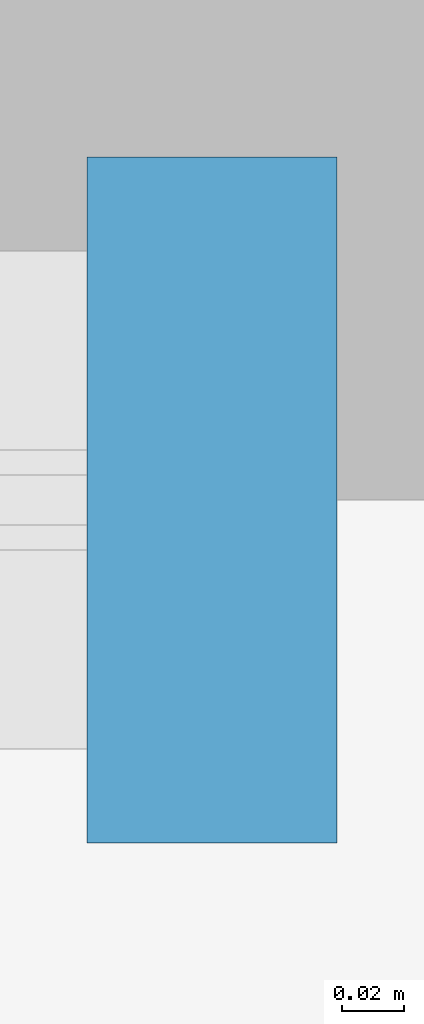
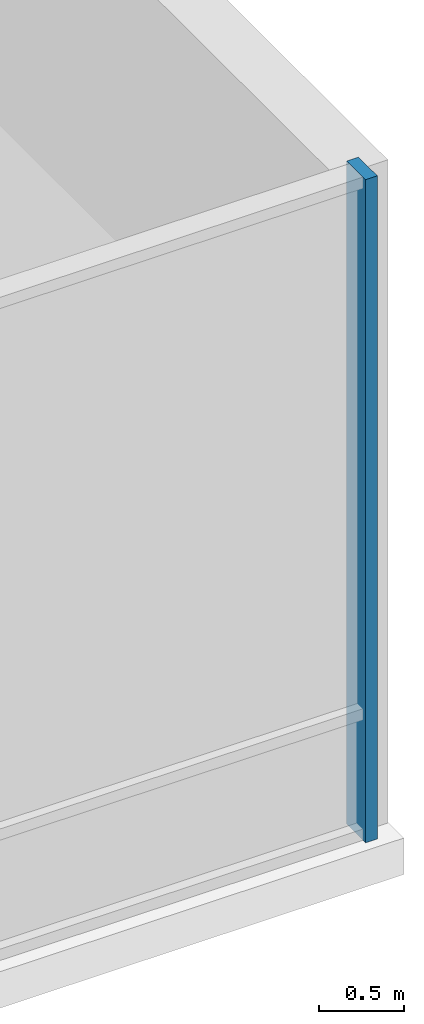
# One storey, part 8 of 24: 1 member, 1 element without a shape of its own.
"""IFC4 building model written with IfcOpenShell, lengths in metres."""

from ifc_helpers import new_model, si_unit, direction, frame, origin, origin_2d, place, context, subcontext, project, spatial, rectangle, extrude, material, layer, layer_set, type_object, element, aggregate, save


model = new_model("IFC4")

# Units and contexts
model_context = context("Model", 3, precision=1e-05, world=origin(), true_north=direction((0.0, 1.0)))
body_context = subcontext(model_context, "Body", "Model", "MODEL_VIEW")
ifc_project = project(units=[si_unit("LENGTHUNIT", "METRE"), si_unit("AREAUNIT", "SQUARE_METRE"), si_unit("VOLUMEUNIT", "CUBIC_METRE"), si_unit("PLANEANGLEUNIT", "RADIAN"), si_unit("MASSUNIT", "GRAM", prefix="KILO")], contexts=[model_context])

# Site, building, storey
site_placement = place(None, origin())
site = spatial("IfcSite", under=ifc_project, at=site_placement, CompositionType="ELEMENT")
building_placement = place(site_placement, origin())
building = spatial("IfcBuilding", under=site, at=building_placement, Name="Tharavind Bronze Gate", CompositionType="ELEMENT")
storey_placement = place(building_placement, frame((0.0, 0.0, 21.5)))
storey = spatial("IfcBuildingStorey", under=building, at=storey_placement, Name="L04", CompositionType="ELEMENT", Elevation=21.5)

# Curtain wall, member
ifc_material = material(Name="Anodised Bronze Aluminium", Category="aluminium")
ifc_layer = layer(ifc_material, 0.219970703125)
ifc_layer_set = layer_set([ifc_layer], Name="Anodised Bronze Aluminium")
curtain_wall_type = type_object("IfcCurtainWallType", Name="UNITISED CURTAIN WALL PODIUM", PredefinedType="USERDEFINED", material=ifc_layer_set)
curtain_wall_placement = place(storey_placement, origin())
curtain_wall = element("IfcCurtainWall", 1, at=curtain_wall_placement, inside=storey, type_object=curtain_wall_type, Name="L04 unitised curtain wall podium CW-L04-S1", ObjectType="UNITISED CURTAIN WALL", PredefinedType="USERDEFINED")
member_type = type_object("IfcMemberType", Name="CURTAIN WALL MULLION 80X220", PredefinedType="MULLION", material=ifc_material)
member_placement = place(storey_placement, frame((33.820068359375, -27.02001953125, 0.0), z_axis=(0.0, 0.0, 1.0), x_axis=(1.0, 0.0, 0.0)))
member = element("IfcMember", 2, at=member_placement, type_object=member_type, Name="CW-L04-S1 mullion 11", PredefinedType="MULLION", context=body_context, shape_type="SweptSolid", body=[
    extrude(rectangle(XDim=0.080078125, YDim=0.219970703125, at=origin_2d()), origin(), (0.0, 0.0, 1.0), 4.739990234375),
])
aggregate(curtain_wall, [member])

save(model, "model.ifc")
